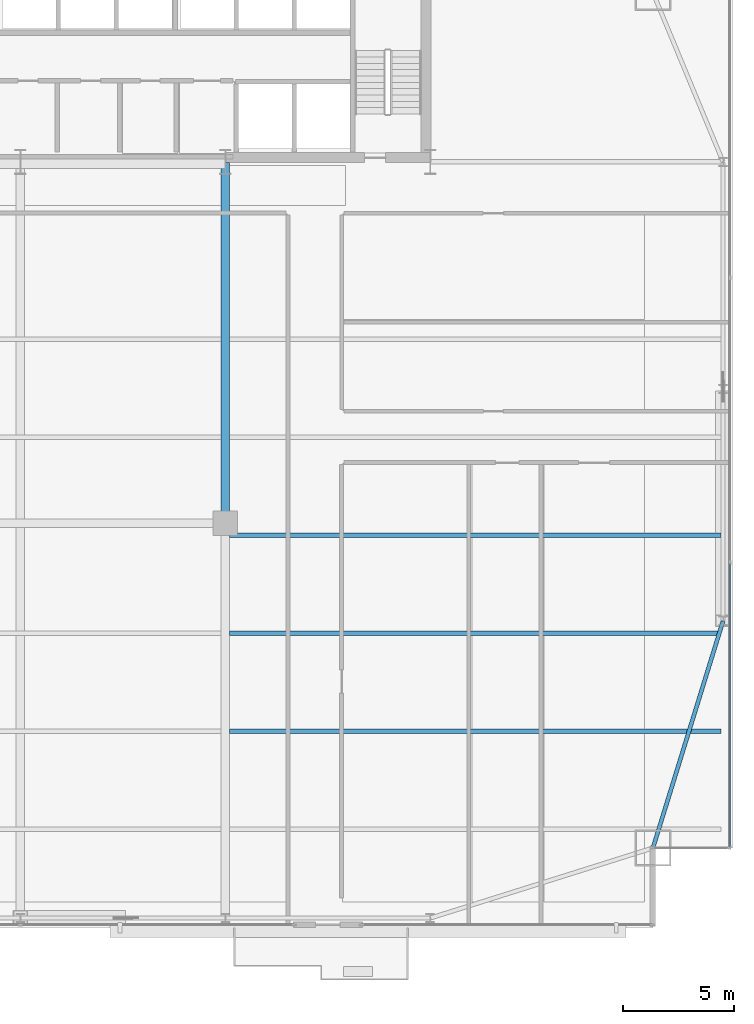
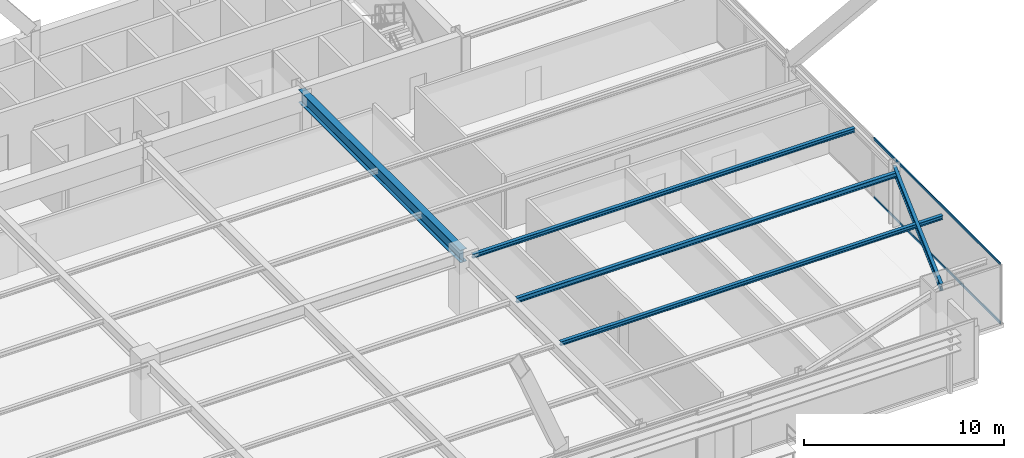
# One storey, part 16 of 35: 5 beams, 2 members, 1 element without a shape of its own.
"""IFC4 building model written with IfcOpenShell, lengths in metres."""

from ifc_helpers import new_model, si_unit, direction, frame, origin, origin_2d, place, context, subcontext, project, spatial, hollow_rectangle, i_section, extrude, source, transform, mapped, material, layer, layer_set, material_profile, profile_set, type_object, type_shapes, element, aggregate, save


model = new_model("IFC4")

# Units and contexts
model_context = context("Model", 3, precision=1e-05, world=origin(), true_north=direction((0.0, 1.0)))
body_context = subcontext(model_context, "Body", "Model", "MODEL_VIEW")
ifc_project = project(units=[si_unit("LENGTHUNIT", "METRE"), si_unit("AREAUNIT", "SQUARE_METRE"), si_unit("VOLUMEUNIT", "CUBIC_METRE"), si_unit("PLANEANGLEUNIT", "RADIAN"), si_unit("MASSUNIT", "GRAM", prefix="KILO")], contexts=[model_context])

# Site, building, storey
site_placement = place(None, origin())
site = spatial("IfcSite", under=ifc_project, at=site_placement, CompositionType="ELEMENT")
building_placement = place(site_placement, origin())
building = spatial("IfcBuilding", under=site, at=building_placement, Name="Varnel Quay Broadcast Tower", CompositionType="ELEMENT")
storey_placement = place(building_placement, frame((0.0, 0.0, 66.60009765625)))
storey = spatial("IfcBuildingStorey", under=building, at=storey_placement, Name="L15", CompositionType="ELEMENT", Elevation=66.60009765625)

# Beams
ifc_material_1 = material(Name="Structural Steel CSA G40.21 350W", Category="steel")
ifc_material_profile_1 = material_profile(ifc_material_1, i_section(OverallWidth=0.180908203125, OverallDepth=0.4169921875, WebThickness=0.010986328125, FlangeThickness=0.018310546875, FilletRadius=0.011962890625, at=origin_2d()), Name="W410X85")
ifc_profile_set_1 = profile_set([ifc_material_profile_1], Name="Structural Steel CSA G40.21 350W")
beam_type_1 = type_object("IfcBeamType", Name="Beam_W410X85", PredefinedType="SPANDREL", material=ifc_profile_set_1)
shared_shape_1 = source(origin(), body_context, "Body", "SweptSolid", [
    extrude(i_section(OverallWidth=0.180908203125, OverallDepth=0.4169921875, WebThickness=0.010986328125, FlangeThickness=0.018310546875, FilletRadius=0.011962890625, at=origin_2d()), origin(), (0.0, 0.0, 1.0), 10.635498046875),
])
type_shapes(beam_type_1, [shared_shape_1])
beam_1_placement = place(storey_placement, frame((62.406005859375, 4.819091796875, 3.44140625), z_axis=(0.295069676324, 0.955475738108, 0.0), x_axis=(-0.955475738108, 0.295069676324, 0.0)))
element("IfcBeam", 1, at=beam_1_placement, inside=storey, type_object=beam_type_1, Name="L15 East Spandrel MC-SE-TC-E1", PredefinedType="SPANDREL", context=body_context, shape_type="MappedRepresentation", body=[
    mapped(shared_shape_1, transform((0.0, 0.0, 0.0), x_axis=(1.0, 0.0, 0.0), y_axis=(0.0, 1.0, 0.0), z_axis=(0.0, 0.0, 1.0), scale=1.0)),
])
ifc_material_profile_2 = material_profile(ifc_material_1, i_section(OverallWidth=0.381103515625, OverallDepth=0.77294921875, WebThickness=0.0166015625, FlangeThickness=0.027587890625, FilletRadius=0.01806640625, at=origin_2d()), Name="W760X257")
ifc_profile_set_2 = profile_set([ifc_material_profile_2], Name="Structural Steel CSA G40.21 350W")
beam_type_2 = type_object("IfcBeamType", Name="Girder_W760X257", PredefinedType="BEAM", material=ifc_profile_set_2)
shared_shape_2 = source(origin(), body_context, "Body", "SweptSolid", [
    extrude(i_section(OverallWidth=0.381103515625, OverallDepth=0.77294921875, WebThickness=0.0166015625, FlangeThickness=0.027587890625, FilletRadius=0.01806640625, at=origin_2d()), origin(), (0.0, 0.0, 1.0), 16.190185546875),
])
type_shapes(beam_type_2, [shared_shape_2])
beam_2_placement = place(storey_placement, frame((43.199951171875, 19.389892578125, 3.263427734375), z_axis=(0.0, 1.0, 0.0), x_axis=(-1.0, 0.0, 0.0)))
element("IfcBeam", 2, at=beam_2_placement, inside=storey, type_object=beam_type_2, Name="L15 Primary Girder IC-02-CC-S4", PredefinedType="BEAM", context=body_context, shape_type="MappedRepresentation", body=[
    mapped(shared_shape_2, transform((0.0, 0.0, 0.0), x_axis=(1.0, 0.0, 0.0), y_axis=(0.0, 1.0, 0.0), z_axis=(0.0, 0.0, 1.0), scale=1.0)),
])
ifc_material_profile_3 = material_profile(ifc_material_1, i_section(OverallWidth=0.202880859375, OverallDepth=0.302978515625, WebThickness=0.007568359375, FlangeThickness=0.01318359375, FilletRadius=0.011962890625, at=origin_2d()), Name="W310X60")
ifc_profile_set_3 = profile_set([ifc_material_profile_3], Name="Structural Steel CSA G40.21 350W")
beam_type_3 = type_object("IfcBeamType", Name="Beam_W310X60", PredefinedType="JOIST", material=ifc_profile_set_3)
shared_shape_3 = source(origin(), body_context, "Body", "SweptSolid", [
    extrude(i_section(OverallWidth=0.202880859375, OverallDepth=0.302978515625, WebThickness=0.007568359375, FlangeThickness=0.01318359375, FilletRadius=0.011962890625, at=origin_2d()), origin(), (0.0, 0.0, 1.0), 22.0791015625),
])
type_shapes(beam_type_3, [shared_shape_3])
beam_3_placement = place(storey_placement, frame((43.385498046875, 14.449951171875, 3.498291015625), z_axis=(1.0, 0.0, 0.0), x_axis=(0.0, 1.0, 0.0)))
element("IfcBeam", 3, at=beam_3_placement, inside=storey, type_object=beam_type_3, Name="L15 East Floor Joist 3", PredefinedType="JOIST", context=body_context, shape_type="MappedRepresentation", body=[
    mapped(shared_shape_3, transform((0.0, 0.0, 0.0), x_axis=(1.0, 0.0, 0.0), y_axis=(0.0, 1.0, 0.0), z_axis=(0.0, 0.0, 1.0), scale=1.0)),
])
ifc_material_profile_4 = material_profile(ifc_material_1, i_section(OverallWidth=0.201904296875, OverallDepth=0.2470703125, WebThickness=0.00732421875, FlangeThickness=0.010986328125, FilletRadius=0.010986328125, at=origin_2d()), Name="W250X49")
ifc_profile_set_4 = profile_set([ifc_material_profile_4], Name="Structural Steel CSA G40.21 350W")
beam_type_4 = type_object("IfcBeamType", Name="Beam_W250X49", PredefinedType="JOIST", material=ifc_profile_set_4)
shared_shape_4 = source(origin(), body_context, "Body", "SweptSolid", [
    extrude(i_section(OverallWidth=0.201904296875, OverallDepth=0.2470703125, WebThickness=0.00732421875, FlangeThickness=0.010986328125, FilletRadius=0.010986328125, at=origin_2d()), origin(), (0.0, 0.0, 1.0), 22.0791015625),
])
type_shapes(beam_type_4, [shared_shape_4])
for number, where, z_axis, x_axis, name in (
    (4, (43.385498046875, 10.050048828125, 3.5263671875), (1.0, 0.0, 0.0), (0.0, 1.0, 0.0), "L15 East Floor Joist 2"),
    (5, (43.385498046875, 18.85009765625, 3.5263671875), (1.0, 0.0, 0.0), (0.0, 1.0, 0.0), "L15 East Floor Joist 4"),
):
    element("IfcBeam", number, at=place(storey_placement, frame(where, z_axis=z_axis, x_axis=x_axis)), inside=storey, type_object=beam_type_4, Name=name, PredefinedType="JOIST", context=body_context, shape_type="MappedRepresentation", body=[
        mapped(shared_shape_4, transform((0.0, 0.0, 0.0), x_axis=(1.0, 0.0, 0.0), y_axis=(0.0, 1.0, 0.0), z_axis=(0.0, 0.0, 1.0), scale=1.0)),
    ])

# Curtain wall, members
ifc_material_2 = material(Name="Anodised Bronze Aluminium 6063-T6", Category="aluminium")
ifc_layer = layer(ifc_material_2, 0.18994140625, Name="Anodised Bronze Aluminium 6063-T6")
ifc_layer_set = layer_set([ifc_layer], Name="Anodised Bronze Aluminium 6063-T6")
curtain_wall_type = type_object("IfcCurtainWallType", Name="CW_LowerTower", PredefinedType="NOTDEFINED", material=ifc_layer_set)
curtain_wall_placement = place(storey_placement, origin())
curtain_wall = element("IfcCurtainWall", 6, at=curtain_wall_placement, inside=storey, type_object=curtain_wall_type, Name="L15 East Unitised Curtain Wall", PredefinedType="NOTDEFINED")
ifc_material_profile_5 = material_profile(ifc_material_2, hollow_rectangle(XDim=0.06005859375, YDim=0.14501953125, WallThickness=0.00341796875, at=origin_2d()), Name="ALU60X145X3.5")
ifc_profile_set_5 = profile_set([ifc_material_profile_5], Name="Anodised Bronze Aluminium 6063-T6")
member_type = type_object("IfcMemberType", Name="Tran_CWS-02", PredefinedType="USERDEFINED", material=ifc_profile_set_5)
shared_shape_5 = source(origin(), body_context, "Body", "SweptSolid", [
    extrude(hollow_rectangle(XDim=0.06005859375, YDim=0.14501953125, WallThickness=0.00341796875, at=origin_2d()), origin(), (0.0, 0.0, 1.0), 12.69482421875),
])
type_shapes(member_type, [shared_shape_5])
member_1_placement = place(storey_placement, frame((65.85009765625, 4.8701171875, 0.02978515625), z_axis=(0.0, 1.0, 0.0), x_axis=(-1.0, 0.0, 0.0)))
member_1 = element("IfcMember", 7, at=member_1_placement, type_object=member_type, Name="CWS-02 transom 1.1", ObjectType="TRANSOM", PredefinedType="USERDEFINED", context=body_context, shape_type="MappedRepresentation", body=[
    mapped(shared_shape_5, transform((0.0, 0.0, 0.0), x_axis=(1.0, 0.0, 0.0), y_axis=(0.0, 1.0, 0.0), z_axis=(0.0, 0.0, 1.0), scale=1.0)),
])
member_2_placement = place(storey_placement, frame((65.85009765625, 4.8701171875, 3.619873046875), z_axis=(0.0, 1.0, 0.0), x_axis=(-1.0, 0.0, 0.0)))
member_2 = element("IfcMember", 8, at=member_2_placement, type_object=member_type, Name="CWS-02 transom 1.2", ObjectType="TRANSOM", PredefinedType="USERDEFINED", context=body_context, shape_type="MappedRepresentation", body=[
    mapped(shared_shape_5, transform((0.0, 0.0, 0.0), x_axis=(1.0, 0.0, 0.0), y_axis=(0.0, 1.0, 0.0), z_axis=(0.0, 0.0, 1.0), scale=1.0)),
])
aggregate(curtain_wall, [member_1, member_2])

save(model, "model.ifc")
